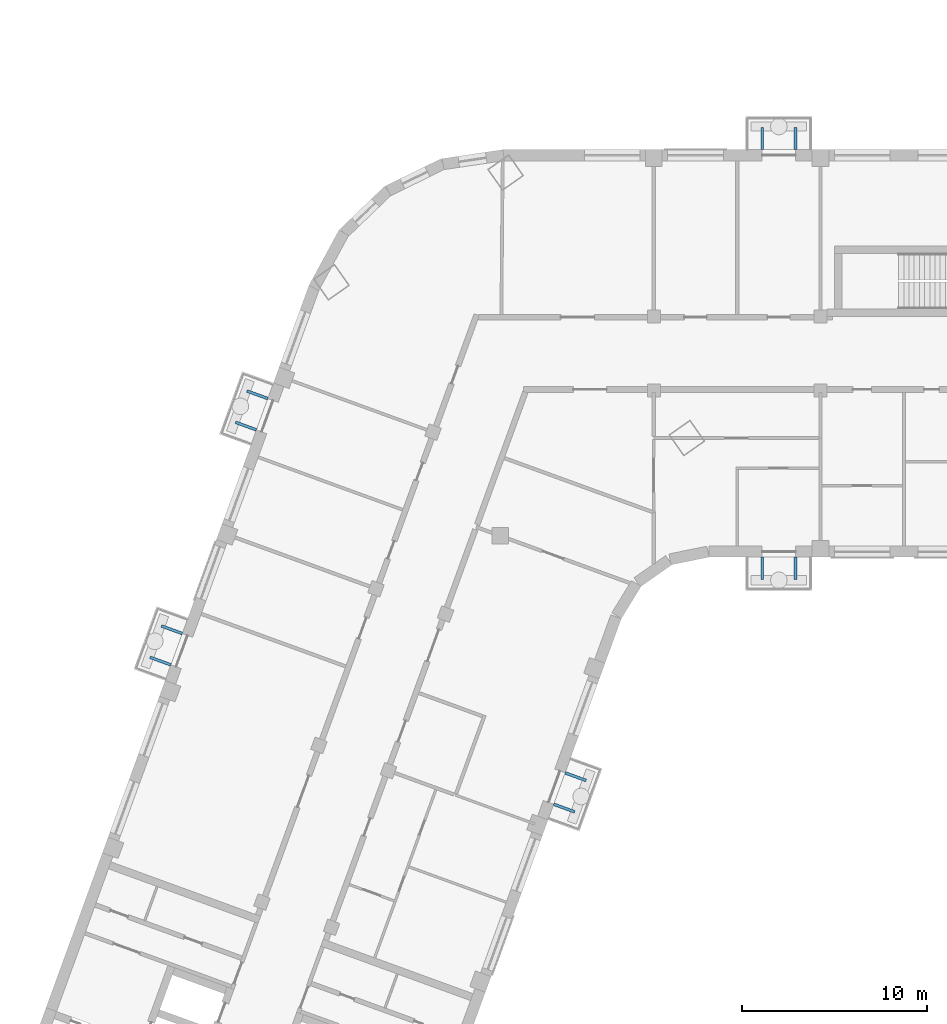
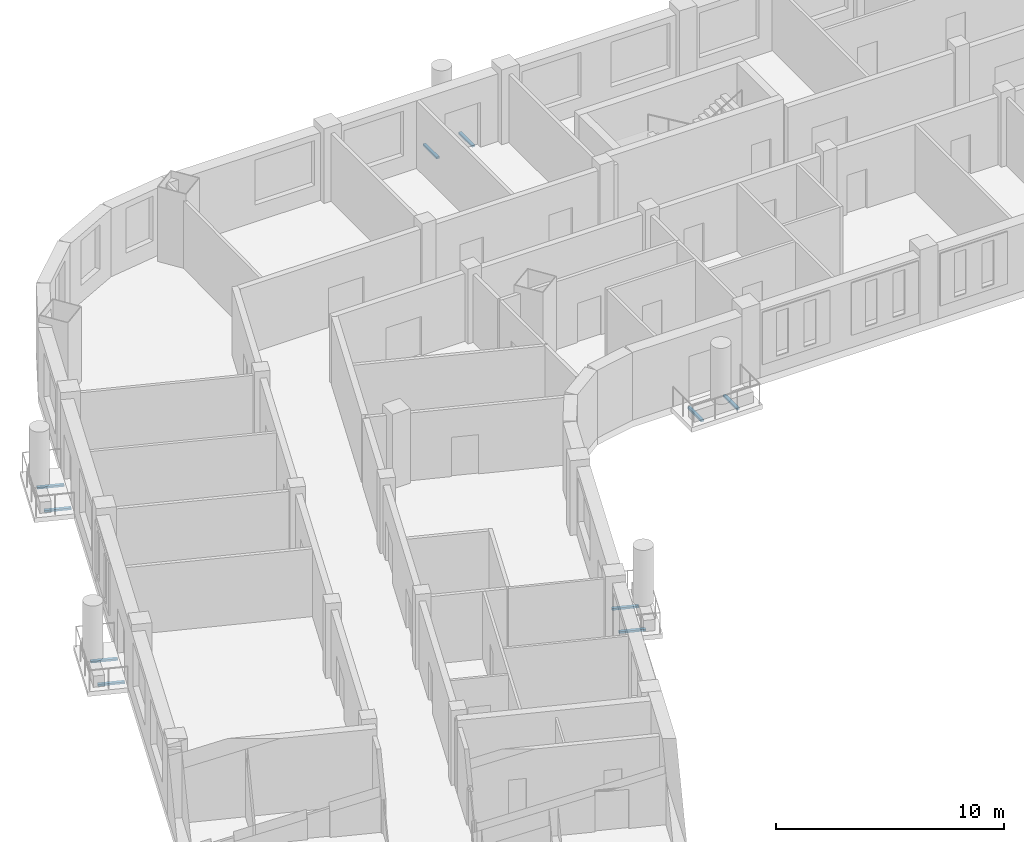
# One storey, part 14 of 18: 10 discrete accessories.
"""IFC4 building model written with IfcOpenShell, lengths in metres."""

from ifc_helpers import new_model, si_unit, direction, frame, origin, origin_2d, place, context, subcontext, project, spatial, rectangle, extrude, element, save


model = new_model("IFC4")

# Units and contexts
model_context = context("Model", 3, precision=1e-05, world=origin(), true_north=direction((0.0, 1.0)))
body_context = subcontext(model_context, "Body", "Model", "MODEL_VIEW")
ifc_project = project(units=[si_unit("LENGTHUNIT", "METRE"), si_unit("AREAUNIT", "SQUARE_METRE"), si_unit("VOLUMEUNIT", "CUBIC_METRE"), si_unit("PLANEANGLEUNIT", "RADIAN"), si_unit("MASSUNIT", "GRAM", prefix="KILO")], contexts=[model_context])

# Site, building, storey
site_placement = place(None, origin())
site = spatial("IfcSite", under=ifc_project, at=site_placement, CompositionType="ELEMENT")
building_placement = place(site_placement, origin())
building = spatial("IfcBuilding", under=site, at=building_placement, Name="Skarvind Civic Tower", CompositionType="ELEMENT")
storey_placement = place(building_placement, frame((0.0, 0.0, 31.5)))
storey = spatial("IfcBuildingStorey", under=building, at=storey_placement, Name="L06", CompositionType="ELEMENT", Elevation=31.5)

# Discrete accessories
for number, where, z_axis, x_axis, name in (
    (1, (50.02587890625, 105.144775390625, -0.35009765625), (0.0, 0.0, 1.0), (-0.342020143326, -0.939692620786, 0.0), "TREE BALCONY BRACKET"),
    (2, (49.41015625, 103.453369140625, -0.35009765625), (0.0, 0.0, 1.0), (-0.342020143326, -0.939692620786, 0.0), "TREE BALCONY BRACKET"),
    (3, (61.89990234375, 116.39990234375, -0.35009765625), (0.0, 0.0, 1.0), (-1.0, 0.0, 0.0), "TREE BALCONY BRACKET"),
    (4, (60.10009765625, 116.39990234375, -0.35009765625), (0.0, 0.0, 1.0), (-1.0, 0.0, 0.0), "TREE BALCONY BRACKET"),
    (5, (60.10009765625, 139.60009765625, -0.35009765625), (0.0, 0.0, 1.0), (1.0, 0.0, 0.0), "TREE BALCONY BRACKET"),
    (6, (61.89990234375, 139.60009765625, -0.35009765625), (0.0, 0.0, 1.0), (1.0, 0.0, 0.0), "TREE BALCONY BRACKET"),
    (7, (27.609375, 111.38818359375, -0.35009765625), (0.0, 0.0, 1.0), (0.342020143326, 0.939692620786, 0.0), "TREE BALCONY BRACKET"),
    (8, (28.22509765625, 113.07958984375, -0.35009765625), (0.0, 0.0, 1.0), (0.342020143326, 0.939692620786, 0.0), "TREE BALCONY BRACKET"),
    (9, (32.2265625, 124.07421875, -0.35009765625), (0.0, 0.0, 1.0), (0.342020143326, 0.939692620786, 0.0), "TREE BALCONY BRACKET"),
    (10, (32.84228515625, 125.765380859375, -0.35009765625), (0.0, 0.0, 1.0), (0.342020143326, 0.939692620786, 0.0), "TREE BALCONY BRACKET"),
):
    element("IfcDiscreteAccessory", number, at=place(storey_placement, frame(where, z_axis=z_axis, x_axis=x_axis)), inside=storey, Name=name, PredefinedType="BRACKET", context=body_context, shape_type="SweptSolid", body=[
        extrude(rectangle(XDim=0.14990234375, YDim=1.199951171875, at=origin_2d()), origin(), (0.0, 0.0, 1.0), 0.10009765625),
    ])

save(model, "model.ifc")
